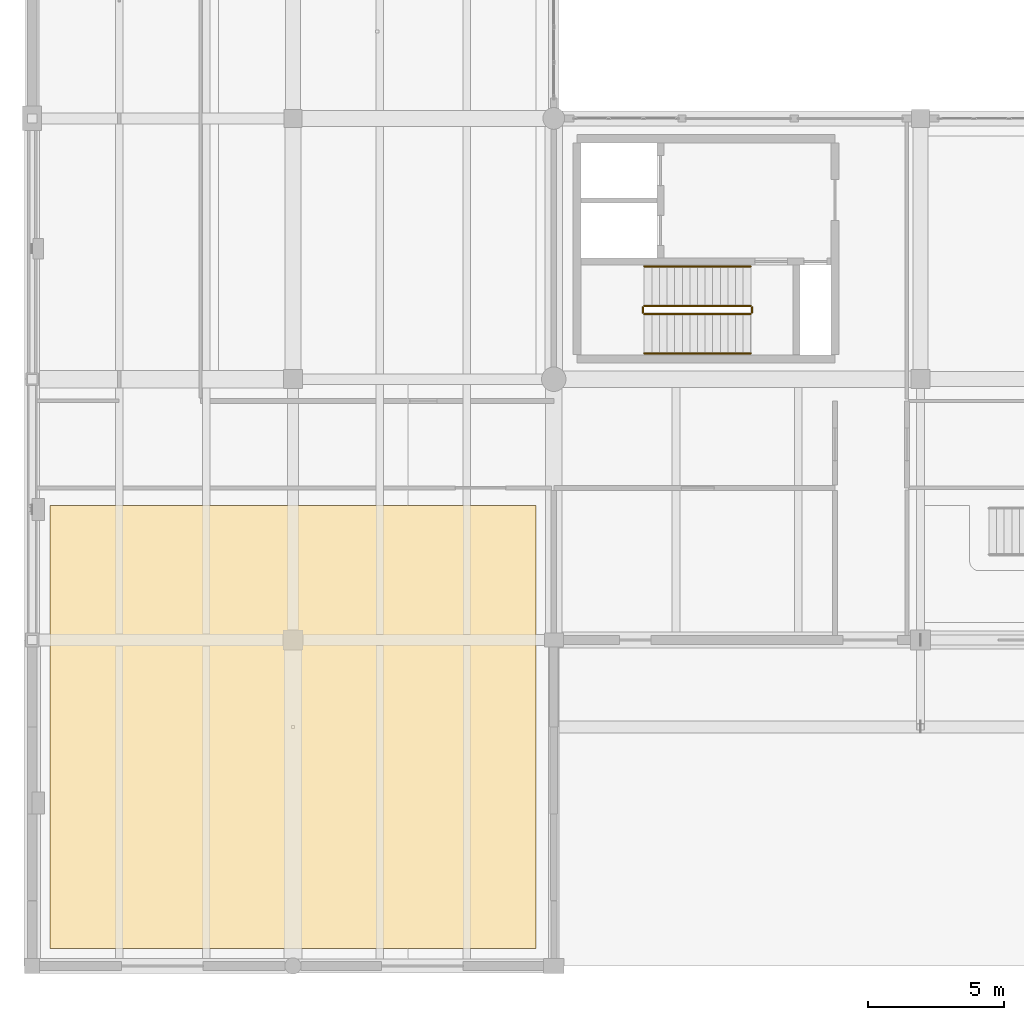
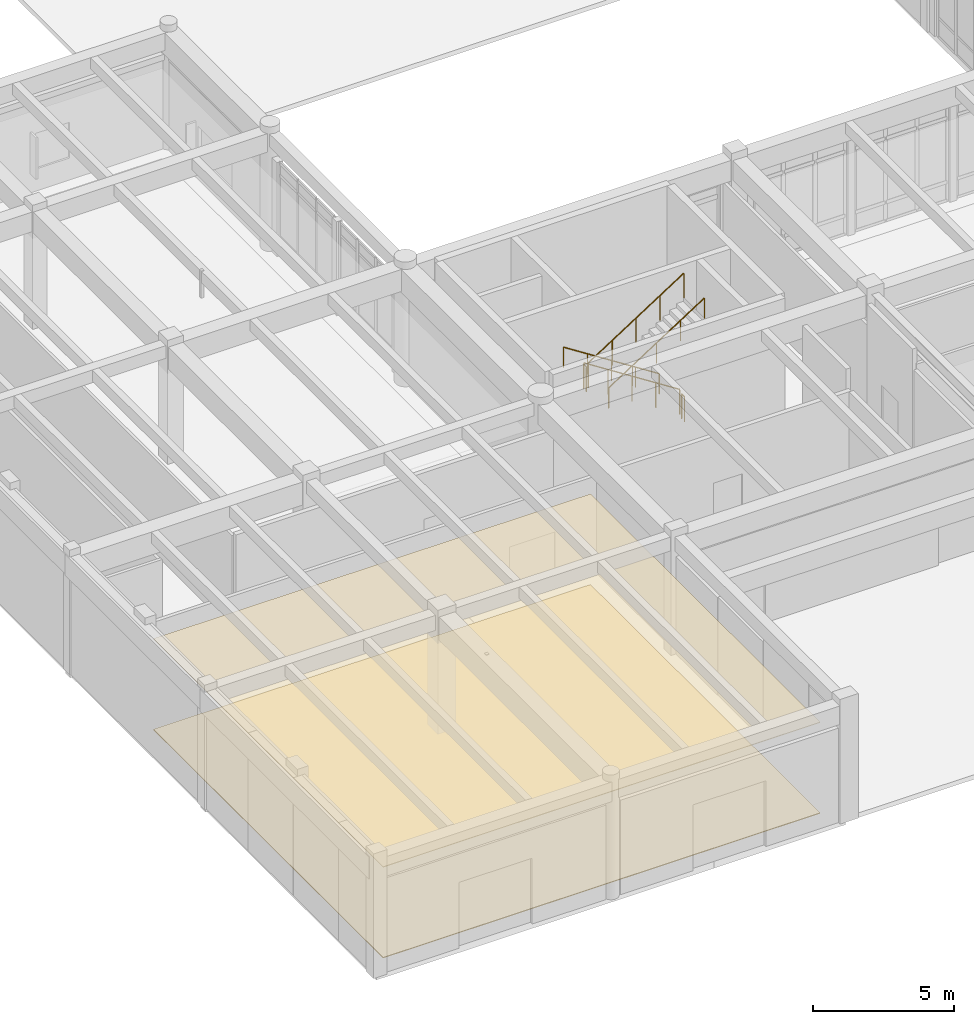
# One storey, part 125 of 138: 6 railings, 2 coverings.
"""IFC4 building model written with IfcOpenShell, lengths in metres."""

from ifc_helpers import new_model, si_unit, direction, frame, origin, origin_2d, place, context, subcontext, project, spatial, polyline, circle, outline, extrude, material, layer, layer_set, type_object, element, save


model = new_model("IFC4")

# Units and contexts
model_context = context("Model", 3, precision=1e-05, world=origin(), true_north=direction((0.0, 1.0)))
body_context = subcontext(model_context, "Body", "Model", "MODEL_VIEW")
ifc_project = project(units=[si_unit("LENGTHUNIT", "METRE"), si_unit("AREAUNIT", "SQUARE_METRE"), si_unit("VOLUMEUNIT", "CUBIC_METRE"), si_unit("PLANEANGLEUNIT", "RADIAN"), si_unit("MASSUNIT", "GRAM", prefix="KILO")], contexts=[model_context])

# Site, building, storey
site_placement = place(None, origin())
site = spatial("IfcSite", under=ifc_project, at=site_placement, CompositionType="ELEMENT")
building_placement = place(site_placement, origin())
building = spatial("IfcBuilding", under=site, at=building_placement, Name="Fikremerkos Civic Library", CompositionType="ELEMENT")
storey_placement = place(building_placement, origin())
storey = spatial("IfcBuildingStorey", under=building, at=storey_placement, Name="L00", CompositionType="ELEMENT", Elevation=0.0)

# Covering
ifc_material_1 = material(Name="Perforated acoustic cedar timber", Category="wood")
ifc_layer_1 = layer(ifc_material_1, 0.02490234375, Name="Perforated acoustic cedar timber")
ifc_layer_set_1 = layer_set([ifc_layer_1], Name="Perforated acoustic cedar timber")
covering_type_1 = type_object("IfcCoveringType", Name="Acoustic perforated timber ceiling CLG-01", PredefinedType="CEILING", material=ifc_layer_set_1)
covering_1_placement = place(storey_placement, frame((0.0, 0.0, 3.929931640625)))
element("IfcCovering", 1, at=covering_1_placement, inside=storey, type_object=covering_type_1, Name="Acoustic ceiling Community Lecture Room", PredefinedType="CEILING", context=body_context, shape_type="SweptSolid", body=[
    extrude(outline(polyline([(0.64990234375, 16.949951171875), (18.550048828125, 16.949951171875), (18.550048828125, 0.64990234375), (0.64990234375, 0.64990234375), (0.64990234375, 16.949951171875)])), origin(), (0.0, 0.0, 1.0), 0.025146484375),
])

# Railings
ifc_material_2 = material(Name="Painted Steel S275", Category="steel")
railing_type_1 = type_object("IfcRailingType", Name="Interior balustrade guard RLG-INT 1100", PredefinedType="BALUSTRADE", material=ifc_material_2)
railing_1_placement = place(storey_placement, frame((26.449951171875, 24.300048828125, 0.179931640625)))
element("IfcRailing", 2, at=railing_1_placement, inside=storey, type_object=railing_type_1, Name="L00 ST-K1 stair guard 1", PredefinedType="BALUSTRADE", context=body_context, shape_type="SweptSolid", body=[
    extrude(circle(Radius=0.02392578125, at=origin_2d()), frame((0.0, 0.0, 1.076171875), z_axis=(-0.841171666519, 0.0, 0.540768182723), x_axis=(0.0, -1.0, 0.0)), (0.0, 0.0, 1.0), 4.66015625),
    extrude(circle(Radius=0.02099609375, at=origin_2d()), origin(), (0.0, 0.0, 1.0), 1.052001953125),
    extrude(circle(Radius=0.02099609375, at=origin_2d()), frame((-0.97998046875, 0.0, 0.6298828125)), (0.0, 0.0, 1.0), 1.052001953125),
    extrude(circle(Radius=0.02099609375, at=origin_2d()), frame((-1.9599609375, 0.0, 1.260009765625)), (0.0, 0.0, 1.0), 1.052001953125),
    extrude(circle(Radius=0.02099609375, at=origin_2d()), frame((-2.93994140625, 0.0, 1.89013671875)), (0.0, 0.0, 1.0), 1.052001953125),
    extrude(circle(Radius=0.02099609375, at=origin_2d()), frame((-3.919921875, 0.0, 2.52001953125)), (0.0, 0.0, 1.0), 1.052001953125),
])
railing_2_placement = place(storey_placement, frame((22.47998046875, 24.25, 2.699951171875)))
element("IfcRailing", 3, at=railing_2_placement, inside=storey, type_object=railing_type_1, Name="L00 ST-K1 stair guard 2", PredefinedType="BALUSTRADE", context=body_context, shape_type="SweptSolid", body=[
    extrude(circle(Radius=0.02392578125, at=origin_2d()), frame((0.0, 0.0, 1.076171875), z_axis=(0.0, -1.0, 0.0), x_axis=(1.0, 0.0, 0.0)), (0.0, 0.0, 1.0), 0.199951171875),
    extrude(circle(Radius=0.02099609375, at=origin_2d()), origin(), (0.0, 0.0, 1.0), 1.052001953125),
    extrude(circle(Radius=0.02099609375, at=origin_2d()), frame((0.0, -0.199951171875, 0.0)), (0.0, 0.0, 1.0), 1.052001953125),
])
railing_3_placement = place(storey_placement, frame((22.530029296875, 24.0, 2.8798828125)))
element("IfcRailing", 4, at=railing_3_placement, inside=storey, type_object=railing_type_1, Name="L00 ST-K1 stair guard 3", PredefinedType="BALUSTRADE", context=body_context, shape_type="SweptSolid", body=[
    extrude(circle(Radius=0.02392578125, at=origin_2d()), frame((0.0, 0.0, 1.076171875), z_axis=(0.841171666519, 0.0, 0.540768182723), x_axis=(0.0, 1.0, 0.0)), (0.0, 0.0, 1.0), 4.66015625),
    extrude(circle(Radius=0.02099609375, at=origin_2d()), origin(), (0.0, 0.0, 1.0), 1.052001953125),
    extrude(circle(Radius=0.02099609375, at=origin_2d()), frame((0.97998046875, 0.0, 0.6298828125)), (0.0, 0.0, 1.0), 1.052001953125),
    extrude(circle(Radius=0.02099609375, at=origin_2d()), frame((1.9599609375, 0.0, 1.260009765625)), (0.0, 0.0, 1.0), 1.052001953125),
    extrude(circle(Radius=0.02099609375, at=origin_2d()), frame((2.93994140625, 0.0, 1.89013671875)), (0.0, 0.0, 1.0), 1.052001953125),
    extrude(circle(Radius=0.02099609375, at=origin_2d()), frame((3.919921875, 0.0, 2.52001953125)), (0.0, 0.0, 1.0), 1.052001953125),
])
railing_4_placement = place(storey_placement, frame((26.5, 24.25, 0.0)))
element("IfcRailing", 5, at=railing_4_placement, inside=storey, type_object=railing_type_1, Name="L00 ST-K1 stair guard 4", PredefinedType="BALUSTRADE", context=body_context, shape_type="SweptSolid", body=[
    extrude(circle(Radius=0.02392578125, at=origin_2d()), frame((0.0, 0.0, 1.076171875), z_axis=(0.0, -1.0, 0.0), x_axis=(1.0, 0.0, 0.0)), (0.0, 0.0, 1.0), 0.199951171875),
    extrude(circle(Radius=0.02099609375, at=origin_2d()), origin(), (0.0, 0.0, 1.0), 1.052001953125),
    extrude(circle(Radius=0.02099609375, at=origin_2d()), frame((0.0, -0.199951171875, 0.0)), (0.0, 0.0, 1.0), 1.052001953125),
])

# Covering
ifc_material_3 = material(Name="Polished basalt terrazzo", Category="masonry")
ifc_layer_2 = layer(ifc_material_3, 0.030029296875, Name="Polished basalt terrazzo")
ifc_layer_set_2 = layer_set([ifc_layer_2], Name="Polished basalt terrazzo")
covering_type_2 = type_object("IfcCoveringType", Name="Polished basalt terrazzo flooring FLR-01", PredefinedType="FLOORING", material=ifc_layer_set_2)
covering_2_placement = place(storey_placement, origin())
element("IfcCovering", 6, at=covering_2_placement, inside=storey, type_object=covering_type_2, Name="Terrazzo floor finish Community Lecture Room", PredefinedType="FLOORING", context=body_context, shape_type="SweptSolid", body=[
    extrude(outline(polyline([(0.64990234375, 16.949951171875), (18.550048828125, 16.949951171875), (18.550048828125, 0.64990234375), (0.64990234375, 0.64990234375), (0.64990234375, 16.949951171875)])), origin(), (0.0, 0.0, 1.0), 0.030029296875),
])

# Railings
ifc_material_4 = material(Name="Brushed stainless steel", Category="steel")
railing_type_2 = type_object("IfcRailingType", Name="Wall and flight handrail HRL-01 900", PredefinedType="HANDRAIL", material=ifc_material_4)
railing_5_placement = place(storey_placement, frame((26.449951171875, 25.75, 0.179931640625)))
element("IfcRailing", 7, at=railing_5_placement, inside=storey, type_object=railing_type_2, Name="L00 ST-K1 stair handrail 1", PredefinedType="HANDRAIL", context=body_context, shape_type="SweptSolid", body=[
    extrude(circle(Radius=0.02392578125, at=origin_2d()), frame((0.0, 0.0, 0.8759765625), z_axis=(-0.841171666519, 0.0, 0.540768182723), x_axis=(0.0, -1.0, 0.0)), (0.0, 0.0, 1.0), 4.66015625),
    extrude(circle(Radius=0.02099609375, at=origin_2d()), origin(), (0.0, 0.0, 1.0), 0.851806640625),
    extrude(circle(Radius=0.02099609375, at=origin_2d()), frame((-0.97998046875, 0.0, 0.6298828125)), (0.0, 0.0, 1.0), 0.851806640625),
    extrude(circle(Radius=0.02099609375, at=origin_2d()), frame((-1.9599609375, 0.0, 1.260009765625)), (0.0, 0.0, 1.0), 0.851806640625),
    extrude(circle(Radius=0.02099609375, at=origin_2d()), frame((-2.93994140625, 0.0, 1.89013671875)), (0.0, 0.0, 1.0), 0.851806640625),
    extrude(circle(Radius=0.02099609375, at=origin_2d()), frame((-3.919921875, 0.0, 2.52001953125)), (0.0, 0.0, 1.0), 0.851806640625),
])
railing_6_placement = place(storey_placement, frame((22.530029296875, 22.550048828125, 2.8798828125)))
element("IfcRailing", 8, at=railing_6_placement, inside=storey, type_object=railing_type_2, Name="L00 ST-K1 stair handrail 2", PredefinedType="HANDRAIL", context=body_context, shape_type="SweptSolid", body=[
    extrude(circle(Radius=0.02392578125, at=origin_2d()), frame((0.0, 0.0, 0.8759765625), z_axis=(0.841171666519, 0.0, 0.540768182723), x_axis=(0.0, 1.0, 0.0)), (0.0, 0.0, 1.0), 4.66015625),
    extrude(circle(Radius=0.02099609375, at=origin_2d()), origin(), (0.0, 0.0, 1.0), 0.851806640625),
    extrude(circle(Radius=0.02099609375, at=origin_2d()), frame((0.97998046875, 0.0, 0.6298828125)), (0.0, 0.0, 1.0), 0.851806640625),
    extrude(circle(Radius=0.02099609375, at=origin_2d()), frame((1.9599609375, 0.0, 1.260009765625)), (0.0, 0.0, 1.0), 0.851806640625),
    extrude(circle(Radius=0.02099609375, at=origin_2d()), frame((2.93994140625, 0.0, 1.89013671875)), (0.0, 0.0, 1.0), 0.851806640625),
    extrude(circle(Radius=0.02099609375, at=origin_2d()), frame((3.919921875, 0.0, 2.52001953125)), (0.0, 0.0, 1.0), 0.851806640625),
])

save(model, "model.ifc")
